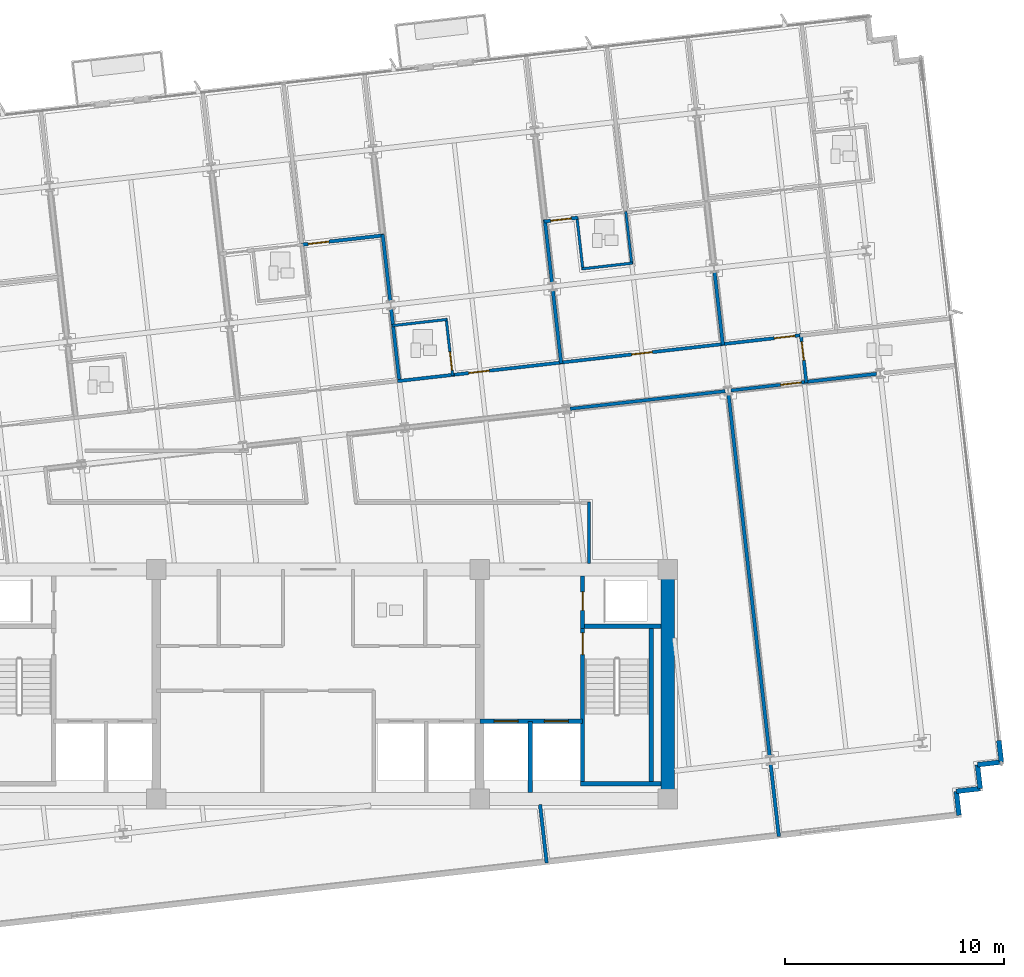
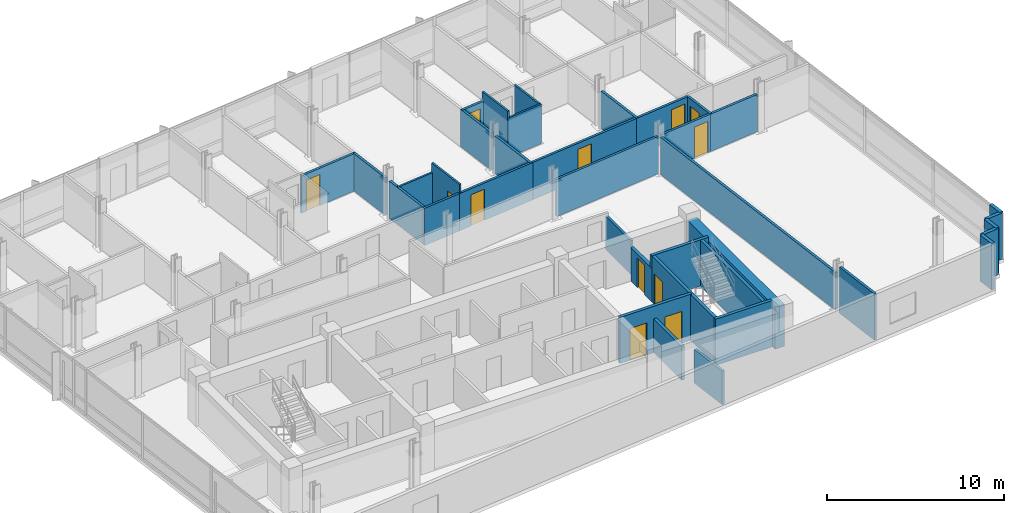
# One storey, part 10 of 17: 37 walls, 12 doors, 12 openings.
"""IFC4 building model written with IfcOpenShell, lengths in metres."""

from ifc_helpers import new_model, si_unit, direction, frame, frame_2d, origin, place, context, subcontext, project, spatial, rectangle, extrude, material, layer, layer_set, type_object, element, fill, save


model = new_model("IFC4")

# Units and contexts
model_context = context("Model", 3, precision=1e-05, world=origin(), true_north=direction((0.0, 1.0)))
body_context = subcontext(model_context, "Body", "Model", "MODEL_VIEW")
ifc_project = project(units=[si_unit("LENGTHUNIT", "METRE"), si_unit("AREAUNIT", "SQUARE_METRE"), si_unit("VOLUMEUNIT", "CUBIC_METRE"), si_unit("PLANEANGLEUNIT", "RADIAN"), si_unit("MASSUNIT", "GRAM", prefix="KILO")], contexts=[model_context])

# Site, building, storey
site_placement = place(None, origin())
site = spatial("IfcSite", under=ifc_project, at=site_placement, CompositionType="ELEMENT")
building_placement = place(site_placement, origin())
building = spatial("IfcBuilding", under=site, at=building_placement, Name="Solmavex Isthmus Hotel", CompositionType="ELEMENT")
storey_placement = place(building_placement, frame((0.0, 0.0, 202.050048828125)))
storey = spatial("IfcBuildingStorey", under=building, at=storey_placement, Name="L54", CompositionType="ELEMENT", Elevation=202.050048828125)

# Walls
ifc_material_1 = material(Name="Precast Concrete C40/50", Category="concrete")
ifc_layer_1 = layer(ifc_material_1, 0.25)
ifc_layer_set_1 = layer_set([ifc_layer_1], Name="Precast Concrete C40/50")
wall_type_1 = type_object("IfcWallType", Name="EW-TWR-250", PredefinedType="STANDARD", material=ifc_layer_set_1)
wall_1_placement = place(storey_placement, frame((31.1474609375, -10.328125, 0.0), z_axis=(0.0, 0.0, 1.0), x_axis=(0.113191877531, -0.993573147212, 0.0)))
element("IfcWall", 1, at=wall_1_placement, inside=storey, type_object=wall_type_1, Name="Serrated Corner Facade Panel L54-21", PredefinedType="STANDARD", context=body_context, shape_type="SweptSolid", body=[
    extrude(rectangle(XDim=0.989990234375, YDim=0.219970703125, at=frame_2d((0.4951171875, 0.0))), origin(), (0.0, 0.0, 1.0), 3.18994140625),
])
wall_2_placement = place(storey_placement, frame((31.259521484375, -11.311767578125, 0.0), z_axis=(0.0, 0.0, 1.0), x_axis=(-0.99357409499, -0.113183557839, 0.0)))
element("IfcWall", 2, at=wall_2_placement, inside=storey, type_object=wall_type_1, Name="Serrated Corner Facade Panel L54-22", PredefinedType="STANDARD", context=body_context, shape_type="SweptSolid", body=[
    extrude(rectangle(XDim=1.10009765625, YDim=0.219970703125, at=frame_2d((0.550048828125, 0.0))), origin(), (0.0, 0.0, 1.0), 3.18994140625),
])
wall_3_placement = place(storey_placement, frame((30.16650390625, -11.436279296875, 0.0), z_axis=(0.0, 0.0, 1.0), x_axis=(0.113427644885, -0.993546259303, 0.0)))
element("IfcWall", 3, at=wall_3_placement, inside=storey, type_object=wall_type_1, Name="Serrated Corner Facade Panel L54-23", PredefinedType="STANDARD", context=body_context, shape_type="SweptSolid", body=[
    extrude(rectangle(XDim=1.099853515625, YDim=0.219970703125, at=frame_2d((0.5498046875, 0.0))), origin(), (0.0, 0.0, 1.0), 3.18994140625),
])
for number, where, z_axis, x_axis, name in (
    (4, (30.291259765625, -12.529052734375, 0.0), (0.0, 0.0, 1.0), (-0.99357409499, -0.113183557839, 0.0), "Serrated Corner Facade Panel L54-24"),
    (5, (29.1982421875, -12.653564453125, 0.0), (0.0, 0.0, 1.0), (0.113183557839, -0.99357409499, 0.0), "Serrated Corner Facade Panel L54-25"),
):
    element("IfcWall", number, at=place(storey_placement, frame(where, z_axis=z_axis, x_axis=x_axis)), inside=storey, type_object=wall_type_1, Name=name, PredefinedType="STANDARD", context=body_context, shape_type="SweptSolid", body=[
        extrude(rectangle(XDim=1.10009765625, YDim=0.219970703125, at=frame_2d((0.550048828125, 0.0))), origin(), (0.0, 0.0, 1.0), 3.18994140625),
    ])

# Wall, opening, door
ifc_material_2 = material(Name="Gypsum plasterboard lining", Category="gypsum")
ifc_layer_2 = layer(ifc_material_2, 0.159912109375)
ifc_layer_set_2 = layer_set([ifc_layer_2], Name="Gypsum plasterboard lining")
wall_type_2 = type_object("IfcWallType", Name="IW-COMP-160", PredefinedType="PARTITIONING", material=ifc_layer_set_2)
wall_4_placement = place(storey_placement, frame((-0.778076171875, 12.3515625, 0.0), z_axis=(0.0, 0.0, 1.0), x_axis=(0.993567388358, 0.113242416041, 0.0)))
wall_4 = element("IfcWall", 6, at=wall_4_placement, inside=storey, type_object=wall_type_2, Name="Interior Partition Wall W-L54-P044", PredefinedType="PARTITIONING", context=body_context, shape_type="SweptSolid", body=[
    extrude(rectangle(XDim=3.802978515625, YDim=0.159912109375, at=frame_2d((1.9013671875, 0.0))), origin(), (0.0, 0.0, 1.0), 2.572265625),
])
opening_1_placement = place(wall_4_placement, frame((0.331787109375, 0.0, 0.0)))
opening_1 = element("IfcOpeningElement", 7, at=opening_1_placement, cuts=wall_4, Name="Opening ID-C095", PredefinedType="OPENING", context=body_context, shape_type="SweptSolid", body=[
    extrude(rectangle(XDim=0.949951171875, YDim=2.14990234375, at=frame_2d((0.47509765625, 1.074951171875))), frame((0.0, 0.08984375, 0.0), z_axis=(0.0, -1.0, 0.0), x_axis=(1.0, 0.0, 0.0)), (0.0, 0.0, 1.0), 0.179931640625),
])
ifc_material_3 = material(Name="Hardwood timber", Category="wood")
door_type_1 = type_object("IfcDoorType", Name="IDR-FD60-0950", OperationType="NOTDEFINED", PredefinedType="DOOR", material=ifc_material_3)
door_1_placement = place(opening_1_placement, origin())
door_1 = element("IfcDoor", 8, at=door_1_placement, inside=storey, type_object=door_type_1, Name="Diplomatic Hospitality Suite Sitting Lounge Door L54-09", OperationType="SINGLE_SWING_LEFT", OverallHeight=2.14990234375, OverallWidth=0.949951171875, PredefinedType="DOOR", context=body_context, shape_type="SweptSolid", body=[
    extrude(rectangle(XDim=0.949951171875, YDim=2.14990234375, at=frame_2d((0.47509765625, 1.074951171875))), frame((0.0, 0.02490234375, 0.0), z_axis=(0.0, -1.0, 0.0), x_axis=(1.0, 0.0, 0.0)), (0.0, 0.0, 1.0), 0.050048828125),
])
fill(opening_1, door_1)

# Walls
wall_5_placement = place(storey_placement, frame((2.9560546875, 12.8173828125, 0.0), z_axis=(0.0, 0.0, 1.0), x_axis=(0.113238680134, -0.993567814153, 0.0)))
element("IfcWall", 9, at=wall_5_placement, inside=storey, type_object=wall_type_2, Name="Interior Partition Wall W-L54-P048", PredefinedType="PARTITIONING", context=body_context, shape_type="SweptSolid", body=[
    extrude(rectangle(XDim=3.063720703125, YDim=0.159912109375, at=frame_2d((1.53173828125, 0.0))), origin(), (0.0, 0.0, 1.0), 2.572265625),
])
wall_6_placement = place(storey_placement, frame((3.3427734375, 9.4228515625, 0.0), z_axis=(0.0, 0.0, 1.0), x_axis=(0.113229088195, -0.993568907317, 0.0)))
element("IfcWall", 10, at=wall_6_placement, inside=storey, type_object=wall_type_2, Name="Interior Partition Wall W-L54-P049", PredefinedType="PARTITIONING", context=body_context, shape_type="SweptSolid", body=[
    extrude(rectangle(XDim=3.361572265625, YDim=0.159912109375, at=frame_2d((1.6806640625, 0.0))), origin(), (0.0, 0.0, 1.0), 2.572265625),
])
wall_7_placement = place(storey_placement, frame((10.3720703125, 13.503173828125, 0.0), z_axis=(0.0, 0.0, 1.0), x_axis=(0.113271679876, -0.993564052559, 0.0)))
element("IfcWall", 11, at=wall_7_placement, inside=storey, type_object=wall_type_2, Name="Interior Partition Wall W-L54-P056", PredefinedType="PARTITIONING", context=body_context, shape_type="SweptSolid", body=[
    extrude(rectangle(XDim=2.905517578125, YDim=0.159912109375, at=frame_2d((1.45263671875, 0.0))), origin(), (0.0, 0.0, 1.0), 2.572265625),
])
wall_8_placement = place(storey_placement, frame((10.740966796875, 10.265869140625, 0.0), z_axis=(0.0, 0.0, 1.0), x_axis=(0.113220917918, -0.993569838384, 0.0)))
element("IfcWall", 12, at=wall_8_placement, inside=storey, type_object=wall_type_2, Name="Interior Partition Wall W-L54-P057", PredefinedType="PARTITIONING", context=body_context, shape_type="SweptSolid", body=[
    extrude(rectangle(XDim=3.36181640625, YDim=0.159912109375, at=frame_2d((1.680908203125, 0.0))), origin(), (0.0, 0.0, 1.0), 2.572265625),
])

# Wall, opening, door
wall_9_placement = place(storey_placement, frame((10.341796875, 13.417236328125, 0.0), z_axis=(0.0, 0.0, 1.0), x_axis=(0.993573147212, 0.113191877531, 0.0)))
wall_9 = element("IfcWall", 13, at=wall_9_placement, inside=storey, type_object=wall_type_2, Name="Interior Partition Wall W-L54-P060", PredefinedType="PARTITIONING", context=body_context, shape_type="SweptSolid", body=[
    extrude(rectangle(XDim=1.552978515625, YDim=0.159912109375, at=frame_2d((0.7763671875, 0.0))), origin(), (0.0, 0.0, 1.0), 2.572265625),
])
opening_2_placement = place(wall_9_placement, frame((0.301513671875, 0.0, 0.0)))
opening_2 = element("IfcOpeningElement", 14, at=opening_2_placement, cuts=wall_9, Name="Opening ID-C095", PredefinedType="OPENING", context=body_context, shape_type="SweptSolid", body=[
    extrude(rectangle(XDim=0.949951171875, YDim=2.14990234375, at=frame_2d((0.47509765625, 1.074951171875))), frame((0.0, 0.08984375, 0.0), z_axis=(0.0, -1.0, 0.0), x_axis=(1.0, 0.0, 0.0)), (0.0, 0.0, 1.0), 0.179931640625),
])
door_2_placement = place(opening_2_placement, origin())
door_2 = element("IfcDoor", 15, at=door_2_placement, inside=storey, type_object=door_type_1, Name="Premier Suite Master Bedroom Door L54-14", OperationType="SINGLE_SWING_RIGHT", OverallHeight=2.14990234375, OverallWidth=0.949951171875, PredefinedType="DOOR", context=body_context, shape_type="SweptSolid", body=[
    extrude(rectangle(XDim=0.949951171875, YDim=2.14990234375, at=frame_2d((0.47509765625, 1.074951171875))), frame((0.0, 0.02490234375, 0.0), z_axis=(0.0, -1.0, 0.0), x_axis=(1.0, 0.0, 0.0)), (0.0, 0.0, 1.0), 0.050048828125),
])
fill(opening_2, door_2)

# Walls
wall_10_placement = place(storey_placement, frame((18.13916015625, 11.108642578125, 0.0), z_axis=(0.0, 0.0, 1.0), x_axis=(0.113229088195, -0.993568907317, 0.0)))
element("IfcWall", 16, at=wall_10_placement, inside=storey, type_object=wall_type_2, Name="Interior Partition Wall W-L54-P066", PredefinedType="PARTITIONING", context=body_context, shape_type="SweptSolid", body=[
    extrude(rectangle(XDim=3.361572265625, YDim=0.159912109375, at=frame_2d((1.6806640625, 0.0))), origin(), (0.0, 0.0, 1.0), 2.572265625),
])
wall_11_placement = place(storey_placement, frame((25.546142578125, 6.44580078125, 0.0), z_axis=(0.0, 0.0, 1.0), x_axis=(-0.993568592225, -0.113231853041, 0.0)))
element("IfcWall", 17, at=wall_11_placement, inside=storey, type_object=wall_type_2, Name="Interior Partition Wall W-L54-P082", PredefinedType="PARTITIONING", context=body_context, shape_type="SweptSolid", body=[
    extrude(rectangle(XDim=3.281494140625, YDim=0.159912109375, at=frame_2d((1.640625, 0.0))), origin(), (0.0, 0.0, 1.0), 2.572265625),
])
wall_12_placement = place(storey_placement, frame((10.154541015625, -13.26025390625, 0.0), z_axis=(0.0, 0.0, 1.0), x_axis=(0.113197562906, -0.993572499495, 0.0)))
element("IfcWall", 18, at=wall_12_placement, inside=storey, type_object=wall_type_2, Name="Interior Partition Wall W-L54-P085", PredefinedType="PARTITIONING", context=body_context, shape_type="SweptSolid", body=[
    extrude(rectangle(XDim=2.68310546875, YDim=0.159912109375, at=frame_2d((1.341552734375, 0.0))), origin(), (0.0, 0.0, 1.0), 2.324951171875),
])
wall_13_placement = place(storey_placement, frame((18.778564453125, 5.4970703125, 0.0), z_axis=(0.0, 0.0, 1.0), x_axis=(0.113202873157, -0.993571894484, 0.0)))
element("IfcWall", 19, at=wall_13_placement, inside=storey, type_object=wall_type_2, Name="Interior Partition Wall W-L54-P086", PredefinedType="PARTITIONING", context=body_context, shape_type="SweptSolid", body=[
    extrude(rectangle(XDim=16.647216796875, YDim=0.159912109375, at=frame_2d((8.32373046875, 0.0))), origin(), (0.0, 0.0, 1.0), 2.572265625),
])
wall_14_placement = place(storey_placement, frame((20.702880859375, -11.3935546875, 0.0), z_axis=(0.0, 0.0, 1.0), x_axis=(0.113243883011, -0.993567221158, 0.0)))
element("IfcWall", 20, at=wall_14_placement, inside=storey, type_object=wall_type_2, Name="Interior Partition Wall W-L54-P087", PredefinedType="PARTITIONING", context=body_context, shape_type="SweptSolid", body=[
    extrude(rectangle(XDim=3.34375, YDim=0.159912109375, at=frame_2d((1.671875, 0.0))), origin(), (0.0, 0.0, 1.0), 3.18994140625),
])

# Wall, opening, door
ifc_layer_3 = layer(ifc_material_2, 0.14990234375)
ifc_layer_set_3 = layer_set([ifc_layer_3], Name="Gypsum plasterboard lining")
wall_type_3 = type_object("IfcWallType", Name="IW-CORR-150", PredefinedType="PARTITIONING", material=ifc_layer_set_3)
wall_15_placement = place(storey_placement, frame((6.07177734375, 6.390625, 0.0), z_axis=(0.0, 0.0, 1.0), x_axis=(0.993569374626, 0.113224987546, 0.0)))
wall_15 = element("IfcWall", 21, at=wall_15_placement, inside=storey, type_object=wall_type_3, Name="Interior Partition Wall W-L54-P005", PredefinedType="PARTITIONING", context=body_context, shape_type="SweptSolid", body=[
    extrude(rectangle(XDim=5.159912109375, YDim=0.14990234375, at=frame_2d((2.580078125, 0.0))), origin(), (0.0, 0.0, 1.0), 2.572265625),
])
opening_3_placement = place(wall_15_placement, frame((0.82470703125, 0.0, 0.0)))
opening_3 = element("IfcOpeningElement", 22, at=opening_3_placement, cuts=wall_15, Name="Opening ID-C095", PredefinedType="OPENING", context=body_context, shape_type="SweptSolid", body=[
    extrude(rectangle(XDim=0.949951171875, YDim=2.14990234375, at=frame_2d((0.47509765625, 1.074951171875))), frame((0.0, 0.0849609375, 0.0), z_axis=(0.0, -1.0, 0.0), x_axis=(1.0, 0.0, 0.0)), (0.0, 0.0, 1.0), 0.169921875),
])
door_3_placement = place(opening_3_placement, origin())
door_3 = element("IfcDoor", 23, at=door_3_placement, inside=storey, type_object=door_type_1, Name="Ambassador Suite Door L54-11", OperationType="SINGLE_SWING_LEFT", OverallHeight=2.14990234375, OverallWidth=0.949951171875, PredefinedType="DOOR", context=body_context, shape_type="SweptSolid", body=[
    extrude(rectangle(XDim=0.949951171875, YDim=2.14990234375, at=frame_2d((0.47509765625, 1.074951171875))), frame((0.0, 0.02490234375, 0.0), z_axis=(0.0, -1.0, 0.0), x_axis=(1.0, 0.0, 0.0)), (0.0, 0.0, 1.0), 0.050048828125),
])
fill(opening_3, door_3)

# Wall
wall_16_placement = place(storey_placement, frame((3.637451171875, 6.11328125, 0.0), z_axis=(0.0, 0.0, 1.0), x_axis=(0.99356184061, 0.11329108034, 0.0)))
element("IfcWall", 24, at=wall_16_placement, inside=storey, type_object=wall_type_3, Name="Interior Partition Wall W-L54-P006", PredefinedType="PARTITIONING", context=body_context, shape_type="SweptSolid", body=[
    extrude(rectangle(XDim=2.614013671875, YDim=0.14990234375, at=frame_2d((1.30712890625, 0.0))), origin(), (0.0, 0.0, 1.0), 2.572265625),
])

# Wall, opening, door
wall_17_placement = place(storey_placement, frame((11.03564453125, 6.956298828125, 0.0), z_axis=(0.0, 0.0, 1.0), x_axis=(0.993570360949, 0.113216332056, 0.0)))
wall_17 = element("IfcWall", 25, at=wall_17_placement, inside=storey, type_object=wall_type_3, Name="Interior Partition Wall W-L54-P007", PredefinedType="PARTITIONING", context=body_context, shape_type="SweptSolid", body=[
    extrude(rectangle(XDim=7.60986328125, YDim=0.14990234375, at=frame_2d((3.804931640625, 0.0))), origin(), (0.0, 0.0, 1.0), 2.572265625),
])
opening_4_placement = place(wall_17_placement, frame((3.330078125, 0.0, 0.0)))
opening_4 = element("IfcOpeningElement", 26, at=opening_4_placement, cuts=wall_17, Name="Opening ID-C095", PredefinedType="OPENING", context=body_context, shape_type="SweptSolid", body=[
    extrude(rectangle(XDim=0.949951171875, YDim=2.14990234375, at=frame_2d((0.47509765625, 1.074951171875))), frame((0.0, 0.0849609375, 0.0), z_axis=(0.0, -1.0, 0.0), x_axis=(1.0, 0.0, 0.0)), (0.0, 0.0, 1.0), 0.169921875),
])
door_4_placement = place(opening_4_placement, origin())
door_4 = element("IfcDoor", 27, at=door_4_placement, inside=storey, type_object=door_type_1, Name="Premier Suite Living Salon Door L54-13", OperationType="SINGLE_SWING_LEFT", OverallHeight=2.14990234375, OverallWidth=0.949951171875, PredefinedType="DOOR", context=body_context, shape_type="SweptSolid", body=[
    extrude(rectangle(XDim=0.949951171875, YDim=2.14990234375, at=frame_2d((0.47509765625, 1.074951171875))), frame((0.0, 0.02490234375, 0.0), z_axis=(0.0, -1.0, 0.0), x_axis=(1.0, 0.0, 0.0)), (0.0, 0.0, 1.0), 0.050048828125),
])
fill(opening_4, door_4)

wall_18_placement = place(storey_placement, frame((18.43359375, 7.79931640625, 0.0), z_axis=(0.0, 0.0, 1.0), x_axis=(0.993578468541, 0.11314515832, 0.0)))
wall_18 = element("IfcWall", 28, at=wall_18_placement, inside=storey, type_object=wall_type_3, Name="Interior Partition Wall W-L54-P008", PredefinedType="PARTITIONING", context=body_context, shape_type="SweptSolid", body=[
    extrude(rectangle(XDim=3.72216796875, YDim=0.14990234375, at=frame_2d((1.861083984375, 0.0))), origin(), (0.0, 0.0, 1.0), 2.572265625),
])
opening_5_placement = place(wall_18_placement, frame((2.456787109375, 0.0, 0.0)))
opening_5 = element("IfcOpeningElement", 29, at=opening_5_placement, cuts=wall_18, Name="Opening ID-C095", PredefinedType="OPENING", context=body_context, shape_type="SweptSolid", body=[
    extrude(rectangle(XDim=0.949951171875, YDim=2.14990234375, at=frame_2d((0.47509765625, 1.074951171875))), frame((0.0, 0.0849609375, 0.0), z_axis=(0.0, -1.0, 0.0), x_axis=(1.0, 0.0, 0.0)), (0.0, 0.0, 1.0), 0.169921875),
])
door_5_placement = place(opening_5_placement, origin())
door_5 = element("IfcDoor", 30, at=door_5_placement, inside=storey, type_object=door_type_1, Name="Corner Suite Entrance Hall Door L54-17", OperationType="SINGLE_SWING_LEFT", OverallHeight=2.14990234375, OverallWidth=0.949951171875, PredefinedType="DOOR", context=body_context, shape_type="SweptSolid", body=[
    extrude(rectangle(XDim=0.949951171875, YDim=2.14990234375, at=frame_2d((0.47509765625, 1.074951171875))), frame((0.0, 0.02490234375, 0.0), z_axis=(0.0, -1.0, 0.0), x_axis=(1.0, 0.0, 0.0)), (0.0, 0.0, 1.0), 0.050048828125),
])
fill(opening_5, door_5)

wall_19_placement = place(storey_placement, frame((22.08984375, 8.23583984375, 0.0), z_axis=(0.0, 0.0, 1.0), x_axis=(0.113122854389, -0.993581008179, 0.0)))
wall_19 = element("IfcWall", 31, at=wall_19_placement, inside=storey, type_object=wall_type_3, Name="Interior Partition Wall W-L54-P010", PredefinedType="PARTITIONING", context=body_context, shape_type="SweptSolid", body=[
    extrude(rectangle(XDim=2.2099609375, YDim=0.14990234375, at=frame_2d((1.10498046875, 0.0))), origin(), (0.0, 0.0, 1.0), 2.572265625),
])
opening_6_placement = place(wall_19_placement, frame((0.322265625, 0.0, 0.0)))
opening_6 = element("IfcOpeningElement", 32, at=opening_6_placement, cuts=wall_19, Name="Opening ID-R085", PredefinedType="OPENING", context=body_context, shape_type="SweptSolid", body=[
    extrude(rectangle(XDim=0.85009765625, YDim=2.050048828125, at=frame_2d((0.425048828125, 1.02490234375))), frame((0.0, 0.0849609375, 0.0), z_axis=(0.0, -1.0, 0.0), x_axis=(1.0, 0.0, 0.0)), (0.0, 0.0, 1.0), 0.169921875),
])
ifc_material_4 = material(Name="Steel ASTM A500 Grade C", Category="steel")
door_type_2 = type_object("IfcDoorType", Name="IDR-FD60-0850", OperationType="NOTDEFINED", PredefinedType="DOOR", material=ifc_material_4)
door_6_placement = place(opening_6_placement, frame((0.85009765625, 0.0, 0.0), z_axis=(0.0, 0.0, 1.0), x_axis=(-1.0, 0.0, 0.0)))
door_6 = element("IfcDoor", 33, at=door_6_placement, inside=storey, type_object=door_type_2, Name="Public Restroom WC Door L54-22", OperationType="SINGLE_SWING_RIGHT", OverallHeight=2.050048828125, OverallWidth=0.85009765625, PredefinedType="DOOR", context=body_context, shape_type="SweptSolid", body=[
    extrude(rectangle(XDim=0.85009765625, YDim=2.050048828125, at=frame_2d((0.425048828125, 1.02490234375))), frame((0.0, 0.02490234375, 0.0), z_axis=(0.0, -1.0, 0.0), x_axis=(1.0, 0.0, 0.0)), (0.0, 0.0, 1.0), 0.050048828125),
])
fill(opening_6, door_6)

# Walls
wall_20_placement = place(storey_placement, frame((12.39990234375, 0.590087890625, 0.0), z_axis=(0.0, 0.0, 1.0), x_axis=(0.0, -1.0, 0.0)))
element("IfcWall", 34, at=wall_20_placement, inside=storey, type_object=wall_type_3, Name="Interior Partition Wall W-L54-P021", PredefinedType="PARTITIONING", context=body_context, shape_type="SweptSolid", body=[
    extrude(rectangle(XDim=2.830078125, YDim=0.14990234375, at=frame_2d((1.4150390625, 0.0))), origin(), (0.0, 0.0, 1.0), 2.324951171875),
])
wall_21_placement = place(storey_placement, frame((18.625, 5.6572265625, 0.0), z_axis=(0.0, 0.0, 1.0), x_axis=(-0.993569785772, -0.11322137961, 0.0)))
element("IfcWall", 35, at=wall_21_placement, inside=storey, type_object=wall_type_3, Name="Interior Partition Wall W-L54-P023", PredefinedType="PARTITIONING", context=body_context, shape_type="SweptSolid", body=[
    extrude(rectangle(XDim=7.13525390625, YDim=0.14990234375, at=frame_2d((3.567626953125, 0.0))), origin(), (0.0, 0.0, 1.0), 2.572265625),
])

# Wall, opening, door
wall_22_placement = place(storey_placement, frame((22.375244140625, 6.08447265625, 0.0), z_axis=(0.0, 0.0, 1.0), x_axis=(-0.993568982909, -0.113228424882, 0.0)))
wall_22 = element("IfcWall", 36, at=wall_22_placement, inside=storey, type_object=wall_type_3, Name="Interior Partition Wall W-L54-P024", PredefinedType="PARTITIONING", context=body_context, shape_type="SweptSolid", body=[
    extrude(rectangle(XDim=3.505859375, YDim=0.14990234375, at=frame_2d((1.7529296875, 0.0))), origin(), (0.0, 0.0, 1.0), 2.572265625),
])
opening_7_placement = place(wall_22_placement, frame((0.270751953125, 0.0, 0.0)))
opening_7 = element("IfcOpeningElement", 37, at=opening_7_placement, cuts=wall_22, Name="Opening ID-C095", PredefinedType="OPENING", context=body_context, shape_type="SweptSolid", body=[
    extrude(rectangle(XDim=0.949951171875, YDim=2.14990234375, at=frame_2d((0.47509765625, 1.074951171875))), frame((0.0, 0.0849609375, 0.0), z_axis=(0.0, -1.0, 0.0), x_axis=(1.0, 0.0, 0.0)), (0.0, 0.0, 1.0), 0.169921875),
])
door_7_placement = place(opening_7_placement, origin())
door_7 = element("IfcDoor", 38, at=door_7_placement, inside=storey, type_object=door_type_1, Name="Corporate Briefing Office Door L54-27", OperationType="SINGLE_SWING_LEFT", OverallHeight=2.14990234375, OverallWidth=0.949951171875, PredefinedType="DOOR", context=body_context, shape_type="SweptSolid", body=[
    extrude(rectangle(XDim=0.949951171875, YDim=2.14990234375, at=frame_2d((0.47509765625, 1.074951171875))), frame((0.0, 0.02490234375, 0.0), z_axis=(0.0, -1.0, 0.0), x_axis=(1.0, 0.0, 0.0)), (0.0, 0.0, 1.0), 0.050048828125),
])
fill(opening_7, door_7)

ifc_layer_4 = layer(ifc_material_2, 0.1201171875)
ifc_layer_set_4 = layer_set([ifc_layer_4], Name="Gypsum plasterboard lining")
wall_type_4 = type_object("IfcWallType", Name="IW-PART-120", PredefinedType="PARTITIONING", material=ifc_layer_set_4)
wall_23_placement = place(storey_placement, frame((6.15771484375, 6.3603515625, 0.0), z_axis=(0.0, 0.0, 1.0), x_axis=(-0.113253358145, 0.993566141165, 0.0)))
wall_23 = element("IfcWall", 39, at=wall_23_placement, inside=storey, type_object=wall_type_4, Name="Interior Partition Wall W-L54-P054", PredefinedType="PARTITIONING", context=body_context, shape_type="SweptSolid", body=[
    extrude(rectangle(XDim=2.6298828125, YDim=0.1201171875, at=frame_2d((1.31494140625, 0.0))), origin(), (0.0, 0.0, 1.0), 3.18994140625),
])
opening_8_placement = place(wall_23_placement, frame((0.247314453125, 0.0, 0.0)))
opening_8 = element("IfcOpeningElement", 40, at=opening_8_placement, cuts=wall_23, Name="Opening ID-U085", PredefinedType="OPENING", context=body_context, shape_type="SweptSolid", body=[
    extrude(rectangle(XDim=0.85009765625, YDim=2.10009765625, at=frame_2d((0.425048828125, 1.050048828125))), frame((0.0, 0.070068359375, 0.0), z_axis=(0.0, -1.0, 0.0), x_axis=(1.0, 0.0, 0.0)), (0.0, 0.0, 1.0), 0.14013671875),
])
door_type_3 = type_object("IfcDoorType", Name="IDR-UNR-0850", OperationType="NOTDEFINED", PredefinedType="DOOR", material=ifc_material_3)
door_8_placement = place(opening_8_placement, frame((0.85009765625, 0.0, 0.0), z_axis=(0.0, 0.0, 1.0), x_axis=(-1.0, 0.0, 0.0)))
door_8 = element("IfcDoor", 41, at=door_8_placement, inside=storey, type_object=door_type_3, Name="En-suite Bathroom Door L54-12", OperationType="SINGLE_SWING_RIGHT", OverallHeight=2.10009765625, OverallWidth=0.85009765625, PredefinedType="DOOR", context=body_context, shape_type="SweptSolid", body=[
    extrude(rectangle(XDim=0.85009765625, YDim=2.10009765625, at=frame_2d((0.425048828125, 1.050048828125))), frame((0.0, 0.02490234375, 0.0), z_axis=(0.0, -1.0, 0.0), x_axis=(1.0, 0.0, 0.0)), (0.0, 0.0, 1.0), 0.050048828125),
])
fill(opening_8, door_8)

# Walls
wall_24_placement = place(storey_placement, frame((5.904296875, 8.938232421875, 0.0), z_axis=(0.0, 0.0, 1.0), x_axis=(-0.993573971379, -0.113184642947, 0.0)))
element("IfcWall", 42, at=wall_24_placement, inside=storey, type_object=wall_type_4, Name="Interior Partition Wall W-L54-P055", PredefinedType="PARTITIONING", context=body_context, shape_type="SweptSolid", body=[
    extrude(rectangle(XDim=2.5302734375, YDim=0.1201171875, at=frame_2d((1.26513671875, 0.0))), origin(), (0.0, 0.0, 1.0), 2.572265625),
])
wall_25_placement = place(storey_placement, frame((11.84033203125, 13.62841796875, 0.0), z_axis=(0.0, 0.0, 1.0), x_axis=(0.11322075119, -0.993569857383, 0.0)))
element("IfcWall", 43, at=wall_25_placement, inside=storey, type_object=wall_type_4, Name="Interior Partition Wall W-L54-P062", PredefinedType="PARTITIONING", context=body_context, shape_type="SweptSolid", body=[
    extrude(rectangle(XDim=2.43017578125, YDim=0.1201171875, at=frame_2d((1.215087890625, 0.0))), origin(), (0.0, 0.0, 1.0), 3.18994140625),
])
wall_26_placement = place(storey_placement, frame((12.0712890625, 11.249267578125, 0.0), z_axis=(0.0, 0.0, 1.0), x_axis=(0.99357583204, 0.113168308226, 0.0)))
element("IfcWall", 44, at=wall_26_placement, inside=storey, type_object=wall_type_4, Name="Interior Partition Wall W-L54-P063", PredefinedType="PARTITIONING", context=body_context, shape_type="SweptSolid", body=[
    extrude(rectangle(XDim=2.329833984375, YDim=0.1201171875, at=frame_2d((1.1650390625, 0.0))), origin(), (0.0, 0.0, 1.0), 2.718017578125),
])
wall_27_placement = place(storey_placement, frame((14.35107421875, 11.46875, 0.0), z_axis=(0.0, 0.0, 1.0), x_axis=(-0.113232053563, 0.993568569373, 0.0)))
element("IfcWall", 45, at=wall_27_placement, inside=storey, type_object=wall_type_4, Name="Interior Partition Wall W-L54-P064", PredefinedType="PARTITIONING", context=body_context, shape_type="SweptSolid", body=[
    extrude(rectangle(XDim=2.429931640625, YDim=0.1201171875, at=frame_2d((1.21484375, 0.0))), origin(), (0.0, 0.0, 1.0), 2.718017578125),
])

# Wall, opening, door
ifc_material_5 = material(Name="Concrete C40/50", Category="concrete")
ifc_layer_5 = layer(ifc_material_5, 0.199951171875)
ifc_layer_set_5 = layer_set([ifc_layer_5], Name="Concrete C40/50")
wall_type_5 = type_object("IfcWallType", Name="IW-SHAFT-200", PredefinedType="PARTITIONING", material=ifc_layer_set_5)
wall_28_placement = place(storey_placement, frame((12.10009765625, -5.199951171875, 0.0), z_axis=(0.0, 0.0, 1.0), x_axis=(0.0, 1.0, 0.0)))
wall_28 = element("IfcWall", 46, at=wall_28_placement, inside=storey, type_object=wall_type_5, Name="Interior Partition Wall W-L54-RSE-W", PredefinedType="PARTITIONING", context=body_context, shape_type="SweptSolid", body=[
    extrude(rectangle(XDim=2.39990234375, YDim=0.199951171875, at=frame_2d((1.199951171875, 0.0))), origin(), (0.0, 0.0, 1.0), 2.324951171875),
])
opening_9_placement = place(wall_28_placement, frame((0.824951171875, 0.0, 0.0)))
opening_9 = element("IfcOpeningElement", 47, at=opening_9_placement, cuts=wall_28, Name="Opening ID-R085", PredefinedType="OPENING", context=body_context, shape_type="SweptSolid", body=[
    extrude(rectangle(XDim=0.85009765625, YDim=2.050048828125, at=frame_2d((0.425048828125, 1.02490234375))), frame((0.0, 0.10986328125, 0.0), z_axis=(0.0, -1.0, 0.0), x_axis=(1.0, 0.0, 0.0)), (0.0, 0.0, 1.0), 0.219970703125),
])
door_9_placement = place(opening_9_placement, frame((0.85009765625, 0.0, 0.0), z_axis=(0.0, 0.0, 1.0), x_axis=(-1.0, 0.0, 0.0)))
door_9 = element("IfcDoor", 48, at=door_9_placement, inside=storey, type_object=door_type_2, Name="Mechanical Riser Door L54", OperationType="SINGLE_SWING_LEFT", OverallHeight=2.050048828125, OverallWidth=0.85009765625, PredefinedType="DOOR", context=body_context, shape_type="SweptSolid", body=[
    extrude(rectangle(XDim=0.85009765625, YDim=2.050048828125, at=frame_2d((0.425048828125, 1.02490234375))), frame((0.0, 0.02490234375, 0.0), z_axis=(0.0, -1.0, 0.0), x_axis=(1.0, 0.0, 0.0)), (0.0, 0.0, 1.0), 0.050048828125),
])
fill(opening_9, door_9)

# Wall, openings, doors
wall_29_placement = place(storey_placement, frame((7.39990234375, -9.449951171875, 0.0), z_axis=(0.0, 0.0, 1.0), x_axis=(1.0, 0.0, 0.0)))
wall_29 = element("IfcWall", 49, at=wall_29_placement, inside=storey, type_object=wall_type_5, Name="Interior Partition Wall W-L54-FFLE-S", PredefinedType="PARTITIONING", context=body_context, shape_type="SweptSolid", body=[
    extrude(rectangle(XDim=4.7001953125, YDim=0.199951171875, at=frame_2d((2.35009765625, 0.0))), origin(), (0.0, 0.0, 1.0), 3.18994140625),
])
opening_10_placement = place(wall_29_placement, frame((2.949951171875, 0.0, 0.0)))
opening_10 = element("IfcOpeningElement", 50, at=opening_10_placement, cuts=wall_29, Name="Opening LD-FF", PredefinedType="OPENING", context=body_context, shape_type="SweptSolid", body=[
    extrude(rectangle(XDim=1.10009765625, YDim=2.199951171875, at=frame_2d((0.550048828125, 1.10009765625))), frame((0.0, 0.10986328125, 0.0), z_axis=(0.0, -1.0, 0.0), x_axis=(1.0, 0.0, 0.0)), (0.0, 0.0, 1.0), 0.219970703125),
])
opening_11_placement = place(wall_29_placement, frame((0.64990234375, 0.0, 0.0)))
opening_11 = element("IfcOpeningElement", 51, at=opening_11_placement, cuts=wall_29, Name="Opening LD-SV", PredefinedType="OPENING", context=body_context, shape_type="SweptSolid", body=[
    extrude(rectangle(XDim=1.10009765625, YDim=2.199951171875, at=frame_2d((0.550048828125, 1.10009765625))), frame((0.0, 0.10986328125, 0.0), z_axis=(0.0, -1.0, 0.0), x_axis=(1.0, 0.0, 0.0)), (0.0, 0.0, 1.0), 0.219970703125),
])
ifc_material_6 = material(Name="Stainless steel 316", Category="steel")
door_type_4 = type_object("IfcDoorType", Name="LDR-FF-1100", OperationType="NOTDEFINED", PredefinedType="DOOR", material=ifc_material_6)
door_10_placement = place(opening_10_placement, origin())
door_10 = element("IfcDoor", 52, at=door_10_placement, inside=storey, type_object=door_type_4, Name="Lift Landing Door FFL-2 L54", OperationType="SLIDING_TO_LEFT", OverallHeight=2.199951171875, OverallWidth=1.10009765625, PredefinedType="DOOR", context=body_context, shape_type="SweptSolid", body=[
    extrude(rectangle(XDim=1.10009765625, YDim=2.199951171875, at=frame_2d((0.550048828125, 1.10009765625))), frame((0.0, 0.02490234375, 0.0), z_axis=(0.0, -1.0, 0.0), x_axis=(1.0, 0.0, 0.0)), (0.0, 0.0, 1.0), 0.050048828125),
])
fill(opening_10, door_10)
door_type_5 = type_object("IfcDoorType", Name="LDR-SV-1100", OperationType="NOTDEFINED", PredefinedType="DOOR", material=ifc_material_6)
door_11_placement = place(opening_11_placement, origin())
door_11 = element("IfcDoor", 53, at=door_11_placement, inside=storey, type_object=door_type_5, Name="Lift Landing Door SVL-2 L54", OperationType="SLIDING_TO_RIGHT", OverallHeight=2.199951171875, OverallWidth=1.10009765625, PredefinedType="DOOR", context=body_context, shape_type="SweptSolid", body=[
    extrude(rectangle(XDim=1.10009765625, YDim=2.199951171875, at=frame_2d((0.550048828125, 1.10009765625))), frame((0.0, 0.02490234375, 0.0), z_axis=(0.0, -1.0, 0.0), x_axis=(1.0, 0.0, 0.0)), (0.0, 0.0, 1.0), 0.050048828125),
])
fill(opening_11, door_11)

# Walls
wall_30_placement = place(storey_placement, frame((9.699951171875, -12.699951171875, 0.0), z_axis=(0.0, 0.0, 1.0), x_axis=(0.0, 1.0, 0.0)))
element("IfcWall", 54, at=wall_30_placement, inside=storey, type_object=wall_type_5, Name="Interior Partition Wall W-L54-FFLE-M", PredefinedType="PARTITIONING", context=body_context, shape_type="SweptSolid", body=[
    extrude(rectangle(XDim=3.25, YDim=0.199951171875, at=frame_2d((1.625, 0.0))), origin(), (0.0, 0.0, 1.0), 2.324951171875),
])
ifc_material_7 = material(Name="Concrete C50/60", Category="concrete")
ifc_layer_6 = layer(ifc_material_7, 0.60009765625)
ifc_layer_set_6 = layer_set([ifc_layer_6], Name="Concrete C50/60")
wall_type_6 = type_object("IfcWallType", Name="WALL-CW-600", PredefinedType="SHEAR", material=ifc_layer_set_6)
wall_31_placement = place(storey_placement, frame((16.0, -12.699951171875, 0.0), z_axis=(0.0, 0.0, 1.0), x_axis=(0.0, 1.0, 0.0)))
element("IfcWall", 55, at=wall_31_placement, inside=storey, type_object=wall_type_6, Name="Core Shear Wall East L54", PredefinedType="SHEAR", context=body_context, shape_type="SweptSolid", body=[
    extrude(rectangle(XDim=9.89990234375, YDim=0.60009765625, at=frame_2d((4.949951171875, 0.0))), origin(), (0.0, 0.0, 1.0), 2.909912109375),
])
ifc_layer_7 = layer(ifc_material_5, 0.199951171875)
ifc_layer_set_7 = layer_set([ifc_layer_7], Name="Concrete C40/50")
wall_type_7 = type_object("IfcWallType", Name="WALL-SW-200", PredefinedType="SOLIDWALL", material=ifc_layer_set_7)
for number, where, z_axis, x_axis, name in (
    (56, (12.0, -12.300048828125, 0.0), (0.0, 0.0, 1.0), (1.0, 0.0, 0.0), "Stairwell Structural Wall SW-L54-ST2-S"),
    (57, (12.0, -5.10009765625, 0.0), (0.0, 0.0, 1.0), (1.0, 0.0, 0.0), "Stairwell Structural Wall SW-L54-ST2-N"),
):
    element("IfcWall", number, at=place(storey_placement, frame(where, z_axis=z_axis, x_axis=x_axis)), inside=storey, type_object=wall_type_7, Name=name, PredefinedType="SOLIDWALL", context=body_context, shape_type="SweptSolid", body=[
        extrude(rectangle(XDim=3.699951171875, YDim=0.199951171875, at=frame_2d((1.85009765625, 0.0))), origin(), (0.0, 0.0, 1.0), 3.18994140625),
    ])

# Wall, opening, door
wall_32_placement = place(storey_placement, frame((12.10009765625, -12.199951171875, 0.0), z_axis=(0.0, 0.0, 1.0), x_axis=(0.0, 1.0, 0.0)))
wall_32 = element("IfcWall", 58, at=wall_32_placement, inside=storey, type_object=wall_type_7, Name="Stairwell Structural Wall SW-L54-ST2-W", PredefinedType="SOLIDWALL", context=body_context, shape_type="SweptSolid", body=[
    extrude(rectangle(XDim=7.0, YDim=0.199951171875, at=frame_2d((3.5, 0.0))), origin(), (0.0, 0.0, 1.0), 3.18994140625),
])
opening_12_placement = place(wall_32_placement, frame((5.800048828125, 0.0, 0.0)))
opening_12 = element("IfcOpeningElement", 59, at=opening_12_placement, cuts=wall_32, Name="Opening ID-F100", PredefinedType="OPENING", context=body_context, shape_type="SweptSolid", body=[
    extrude(rectangle(XDim=1.0, YDim=2.10009765625, at=frame_2d((0.5, 1.050048828125))), frame((0.0, 0.10986328125, 0.0), z_axis=(0.0, -1.0, 0.0), x_axis=(1.0, 0.0, 0.0)), (0.0, 0.0, 1.0), 0.219970703125),
])
door_type_6 = type_object("IfcDoorType", Name="IDR-FD90-1000", OperationType="NOTDEFINED", PredefinedType="DOOR", material=ifc_material_4)
door_12_placement = place(opening_12_placement, origin())
door_12 = element("IfcDoor", 60, at=door_12_placement, inside=storey, type_object=door_type_6, Name="Stair ST-2 Fire Door L54", OperationType="SINGLE_SWING_RIGHT", OverallHeight=2.10009765625, OverallWidth=1.0, PredefinedType="DOOR", context=body_context, shape_type="SweptSolid", body=[
    extrude(rectangle(XDim=1.0, YDim=2.10009765625, at=frame_2d((0.5, 1.050048828125))), frame((0.0, 0.02490234375, 0.0), z_axis=(0.0, -1.0, 0.0), x_axis=(1.0, 0.0, 0.0)), (0.0, 0.0, 1.0), 0.050048828125),
])
fill(opening_12, door_12)

# Wall
wall_33_placement = place(storey_placement, frame((15.25, -12.199951171875, 0.0), z_axis=(0.0, 0.0, 1.0), x_axis=(0.0, 1.0, 0.0)))
element("IfcWall", 61, at=wall_33_placement, inside=storey, type_object=wall_type_7, Name="Stairwell Structural Wall SW-L54-ST2-E", PredefinedType="SOLIDWALL", context=body_context, shape_type="SweptSolid", body=[
    extrude(rectangle(XDim=7.0, YDim=0.199951171875, at=frame_2d((3.5, 0.0))), origin(), (0.0, 0.0, 1.0), 3.18994140625),
])

save(model, "model.ifc")
